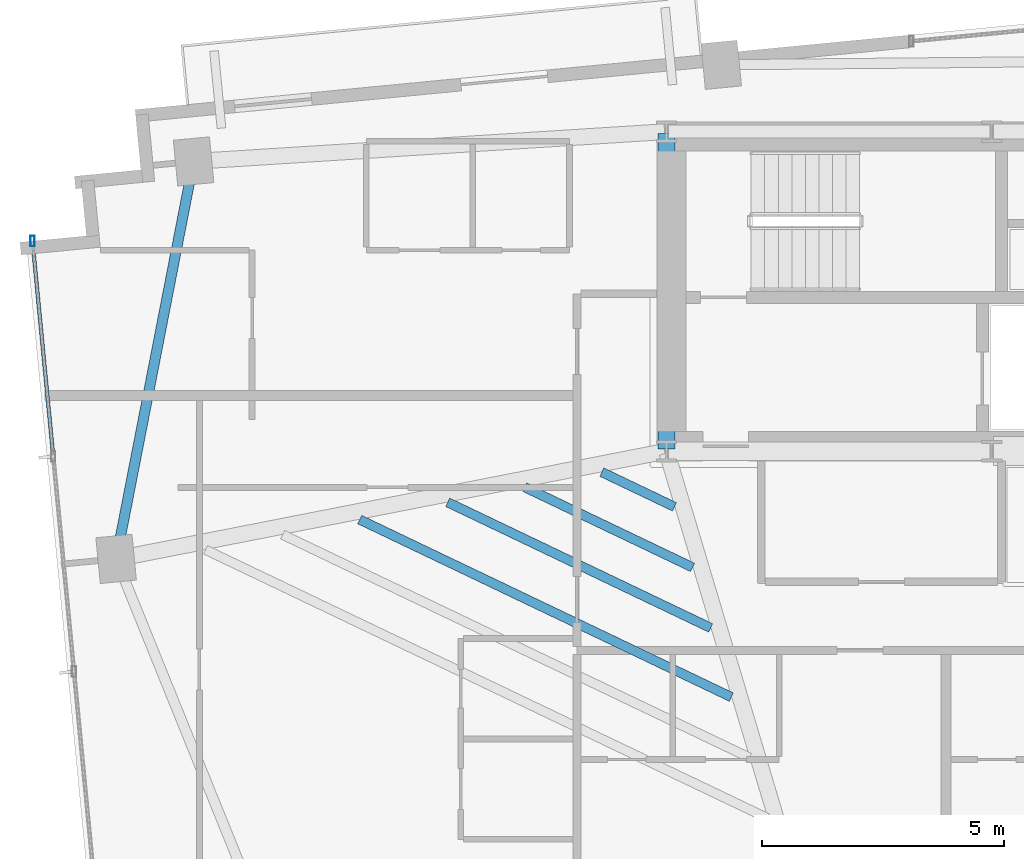
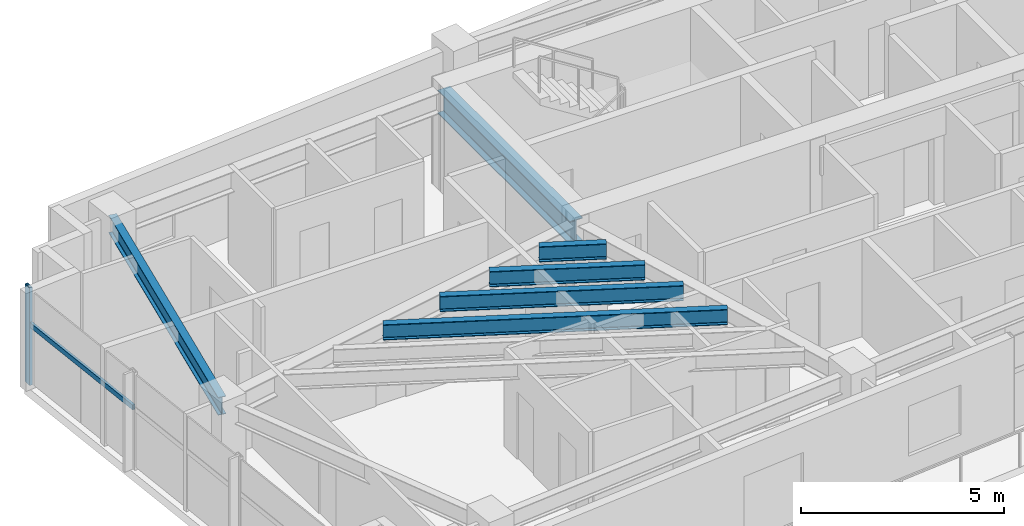
# One storey, part 3 of 18: 6 beams, 2 members, 1 element without a shape of its own.
"""IFC4 building model written with IfcOpenShell, lengths in metres."""

from ifc_helpers import new_model, si_unit, direction, frame, origin, origin_2d, place, context, subcontext, project, spatial, hollow_rectangle, i_section, extrude, source, transform, mapped, material, material_profile, profile_set, type_object, type_shapes, element, aggregate, save


model = new_model("IFC4")

# Units and contexts
model_context = context("Model", 3, precision=1e-05, world=origin(), true_north=direction((0.0, 1.0)))
body_context = subcontext(model_context, "Body", "Model", "MODEL_VIEW")
ifc_project = project(units=[si_unit("LENGTHUNIT", "METRE"), si_unit("AREAUNIT", "SQUARE_METRE"), si_unit("VOLUMEUNIT", "CUBIC_METRE"), si_unit("PLANEANGLEUNIT", "RADIAN"), si_unit("MASSUNIT", "GRAM", prefix="KILO")], contexts=[model_context])

# Site, building, storey
site_placement = place(None, origin())
site = spatial("IfcSite", under=ifc_project, at=site_placement, CompositionType="ELEMENT")
building_placement = place(site_placement, origin())
building = spatial("IfcBuilding", under=site, at=building_placement, Name="Astriad Promenade Condominiums", CompositionType="ELEMENT")
storey_placement = place(building_placement, frame((0.0, 0.0, 205.0)))
storey = spatial("IfcBuildingStorey", under=building, at=storey_placement, Name="L59", CompositionType="ELEMENT", Elevation=205.0)

# Beams
ifc_material_1 = material(Name="Steel ASTM A992 Grade 50", Category="steel")
ifc_material_profile_1 = material_profile(ifc_material_1, i_section(OverallWidth=0.35791015625, OverallDepth=0.706298828125, WebThickness=0.018310546875, FlangeThickness=0.0302734375, FilletRadius=0.020263671875, at=origin_2d()), Name="W27X178")
ifc_profile_set_1 = profile_set([ifc_material_profile_1], Name="Steel ASTM A992 Grade 50")
beam_type_1 = type_object("IfcBeamType", Name="STEEL FLOOR GIRDER W27X178", PredefinedType="BEAM", material=ifc_profile_set_1)
shared_shape_1 = source(origin(), body_context, "Body", "SweptSolid", [
    extrude(i_section(OverallWidth=0.35791015625, OverallDepth=0.706298828125, WebThickness=0.018310546875, FlangeThickness=0.0302734375, FilletRadius=0.020263671875, at=origin_2d()), origin(), (0.0, 0.0, 1.0), 6.52001953125),
])
type_shapes(beam_type_1, [shared_shape_1])
beam_1_placement = place(storey_placement, frame((26.39990234375, 17.43994140625, 2.5869140625), z_axis=(0.0, 1.0, 0.0), x_axis=(-1.0, 0.0, 0.0)))
element("IfcBeam", 1, at=beam_1_placement, inside=storey, type_object=beam_type_1, Name="Core Ring Beam CG-W1-L59", PredefinedType="BEAM", context=body_context, shape_type="MappedRepresentation", body=[
    mapped(shared_shape_1, transform((0.0, 0.0, 0.0), scale=1.0)),
])
ifc_material_profile_2 = material_profile(ifc_material_1, i_section(OverallWidth=0.210693359375, OverallDepth=0.53955078125, WebThickness=0.01171875, FlangeThickness=0.018798828125, FilletRadius=0.0166015625, at=origin_2d()), Name="W21X73")
ifc_profile_set_2 = profile_set([ifc_material_profile_2], Name="Steel ASTM A992 Grade 50")
beam_type_2 = type_object("IfcBeamType", Name="STEEL SPANDREL BEAM W21X73", PredefinedType="SPANDREL", material=ifc_profile_set_2)
shared_shape_2 = source(origin(), body_context, "Body", "SweptSolid", [
    extrude(i_section(OverallWidth=0.210693359375, OverallDepth=0.53955078125, WebThickness=0.01171875, FlangeThickness=0.018798828125, FilletRadius=0.0166015625, at=origin_2d()), origin(), (0.0, 0.0, 1.0), 8.28564453125),
])
type_shapes(beam_type_2, [shared_shape_2])
beam_2_placement = place(storey_placement, frame((16.62451171875, 23.3447265625, 2.67041015625), z_axis=(-0.191291582099, -0.981533254973, 0.0), x_axis=(0.981533254973, -0.191291582099, 0.0)))
element("IfcBeam", 2, at=beam_2_placement, inside=storey, type_object=beam_type_2, Name="Perimeter Spandrel Beam SP-W2-L59", PredefinedType="SPANDREL", context=body_context, shape_type="MappedRepresentation", body=[
    mapped(shared_shape_2, transform((0.0, 0.0, 0.0), scale=1.0)),
])
ifc_material_profile_3 = material_profile(ifc_material_1, i_section(OverallWidth=0.19287109375, OverallDepth=0.466064453125, WebThickness=0.011474609375, FlangeThickness=0.01904296875, FilletRadius=0.01513671875, at=origin_2d()), Name="W18X65")
ifc_profile_set_3 = profile_set([ifc_material_profile_3], Name="Steel ASTM A992 Grade 50")
beam_type_3 = type_object("IfcBeamType", Name="STEEL FLOOR JOIST W18X65", PredefinedType="JOIST", material=ifc_profile_set_3)
shared_shape_3 = source(origin(), body_context, "Body", "SweptSolid", [
    extrude(i_section(OverallWidth=0.19287109375, OverallDepth=0.466064453125, WebThickness=0.011474609375, FlangeThickness=0.01904296875, FilletRadius=0.01513671875, at=origin_2d()), origin(), (0.0, 0.0, 1.0), 8.508056640625),
])
beam_3_placement = place(storey_placement, frame((20.06298828125, 15.985595703125, 2.70703125), z_axis=(0.902339530667, -0.431025952113, 0.0), x_axis=(0.431025952113, 0.902339530667, 0.0)))
element("IfcBeam", 3, at=beam_3_placement, inside=storey, type_object=beam_type_3, Name="Secondary Composite Floor Joist JW1-3-L59", PredefinedType="JOIST", context=body_context, shape_type="MappedRepresentation", body=[
    mapped(shared_shape_3, transform((0.0, 0.0, 0.0), scale=1.0)),
])
shared_shape_4 = source(origin(), body_context, "Body", "SweptSolid", [
    extrude(i_section(OverallWidth=0.19287109375, OverallDepth=0.466064453125, WebThickness=0.011474609375, FlangeThickness=0.01904296875, FilletRadius=0.01513671875, at=origin_2d()), origin(), (0.0, 0.0, 1.0), 6.01904296875),
])
beam_4_placement = place(storey_placement, frame((21.882080078125, 16.342041015625, 2.70703125), z_axis=(0.902329759838, -0.431046406446, 0.0), x_axis=(0.431046406446, 0.902329759838, 0.0)))
element("IfcBeam", 4, at=beam_4_placement, inside=storey, type_object=beam_type_3, Name="Secondary Composite Floor Joist JW1-4-L59", PredefinedType="JOIST", context=body_context, shape_type="MappedRepresentation", body=[
    mapped(shared_shape_4, transform((0.0, 0.0, 0.0), scale=1.0)),
])
shared_shape_5 = source(origin(), body_context, "Body", "SweptSolid", [
    extrude(i_section(OverallWidth=0.19287109375, OverallDepth=0.466064453125, WebThickness=0.011474609375, FlangeThickness=0.01904296875, FilletRadius=0.01513671875, at=origin_2d()), origin(), (0.0, 0.0, 1.0), 3.84130859375),
])
beam_5_placement = place(storey_placement, frame((23.473388671875, 16.65380859375, 2.70703125), z_axis=(0.902328811953, -0.431048390693, 0.0), x_axis=(0.431048390693, 0.902328811953, 0.0)))
element("IfcBeam", 5, at=beam_5_placement, inside=storey, type_object=beam_type_3, Name="Secondary Composite Floor Joist JW1-5-L59", PredefinedType="JOIST", context=body_context, shape_type="MappedRepresentation", body=[
    mapped(shared_shape_5, transform((0.0, 0.0, 0.0), scale=1.0)),
])
shared_shape_6 = source(origin(), body_context, "Body", "SweptSolid", [
    extrude(i_section(OverallWidth=0.19287109375, OverallDepth=0.466064453125, WebThickness=0.011474609375, FlangeThickness=0.01904296875, FilletRadius=0.01513671875, at=origin_2d()), origin(), (0.0, 0.0, 1.0), 1.6630859375),
])
type_shapes(beam_type_3, [shared_shape_3, shared_shape_4, shared_shape_5, shared_shape_6])
beam_6_placement = place(storey_placement, frame((25.065185546875, 16.965576171875, 2.70703125), z_axis=(0.902355200591, -0.430993146077, 0.0), x_axis=(0.430993146077, 0.902355200591, 0.0)))
element("IfcBeam", 6, at=beam_6_placement, inside=storey, type_object=beam_type_3, Name="Secondary Composite Floor Joist JW1-6-L59", PredefinedType="JOIST", context=body_context, shape_type="MappedRepresentation", body=[
    mapped(shared_shape_6, transform((0.0, 0.0, 0.0), scale=1.0)),
])

# Curtain wall, members
ifc_material_2 = material(Name="Anodised aluminium Black Dark Glass Unitised", Category="aluminium")
curtain_wall_type = type_object("IfcCurtainWallType", Name="CW-B34-DARK", PredefinedType="USERDEFINED", material=ifc_material_2)
curtain_wall_placement = place(storey_placement, origin())
curtain_wall = element("IfcCurtainWall", 7, at=curtain_wall_placement, inside=storey, type_object=curtain_wall_type, Name="CW-L59-W", ObjectType="UNITISED_CURTAIN_WALL", PredefinedType="USERDEFINED")
ifc_material_3 = material(Name="Anodised aluminium 6063-T6 Black", Category="aluminium")
ifc_material_profile_4 = material_profile(ifc_material_3, hollow_rectangle(XDim=0.0849609375, YDim=0.219970703125, WallThickness=0.0048828125, at=origin_2d()), Name="ALU-MUL-85X220")
ifc_profile_set_4 = profile_set([ifc_material_profile_4], Name="Anodised aluminium 6063-T6 Black")
member_type_1 = type_object("IfcMemberType", Name="MUL-ALU-MUL-85X220", PredefinedType="MULLION", material=ifc_profile_set_4)
shared_shape_7 = source(origin(), body_context, "Body", "SweptSolid", [
    extrude(hollow_rectangle(XDim=0.0849609375, YDim=0.219970703125, WallThickness=0.0048828125, at=origin_2d()), origin(), (0.0, 0.0, 1.0), 2.93994140625),
])
type_shapes(member_type_1, [shared_shape_7])
member_1_placement = place(storey_placement, frame((13.3046875, 21.737548828125, 0.0), z_axis=(0.0, 0.0, 1.0), x_axis=(1.0, 0.0, 0.0)))
member_1 = element("IfcMember", 8, at=member_1_placement, type_object=member_type_1, Name="CW-L59-W-MUL-03", PredefinedType="MULLION", context=body_context, shape_type="MappedRepresentation", body=[
    mapped(shared_shape_7, transform((0.0, 0.0, 0.0), scale=1.0)),
])
ifc_material_profile_5 = material_profile(ifc_material_3, hollow_rectangle(XDim=0.074951171875, YDim=0.14990234375, WallThickness=0.004150390625, at=origin_2d()), Name="ALU-TRN-75X150")
ifc_profile_set_5 = profile_set([ifc_material_profile_5], Name="Anodised aluminium 6063-T6 Black")
member_type_2 = type_object("IfcMemberType", Name="TRN-ALU-TRN-75X150", PredefinedType="USERDEFINED", material=ifc_profile_set_5)
shared_shape_8 = source(origin(), body_context, "Body", "SweptSolid", [
    extrude(hollow_rectangle(XDim=0.074951171875, YDim=0.14990234375, WallThickness=0.004150390625, at=origin_2d()), origin(), (0.0, 0.0, 1.0), 4.466552734375),
])
type_shapes(member_type_2, [shared_shape_8])
member_2_placement = place(storey_placement, frame((13.732666015625, 17.29150390625, 1.82275390625), z_axis=(-0.095817598554, 0.995398908884, 0.0), x_axis=(-0.995398908884, -0.095817598554, 0.0)))
member_2 = element("IfcMember", 9, at=member_2_placement, type_object=member_type_2, Name="CW-L59-W-TRN-02-0", ObjectType="TRANSOM", PredefinedType="USERDEFINED", context=body_context, shape_type="MappedRepresentation", body=[
    mapped(shared_shape_8, transform((0.0, 0.0, 0.0), scale=1.0)),
])
aggregate(curtain_wall, [member_1, member_2])

save(model, "model.ifc")
